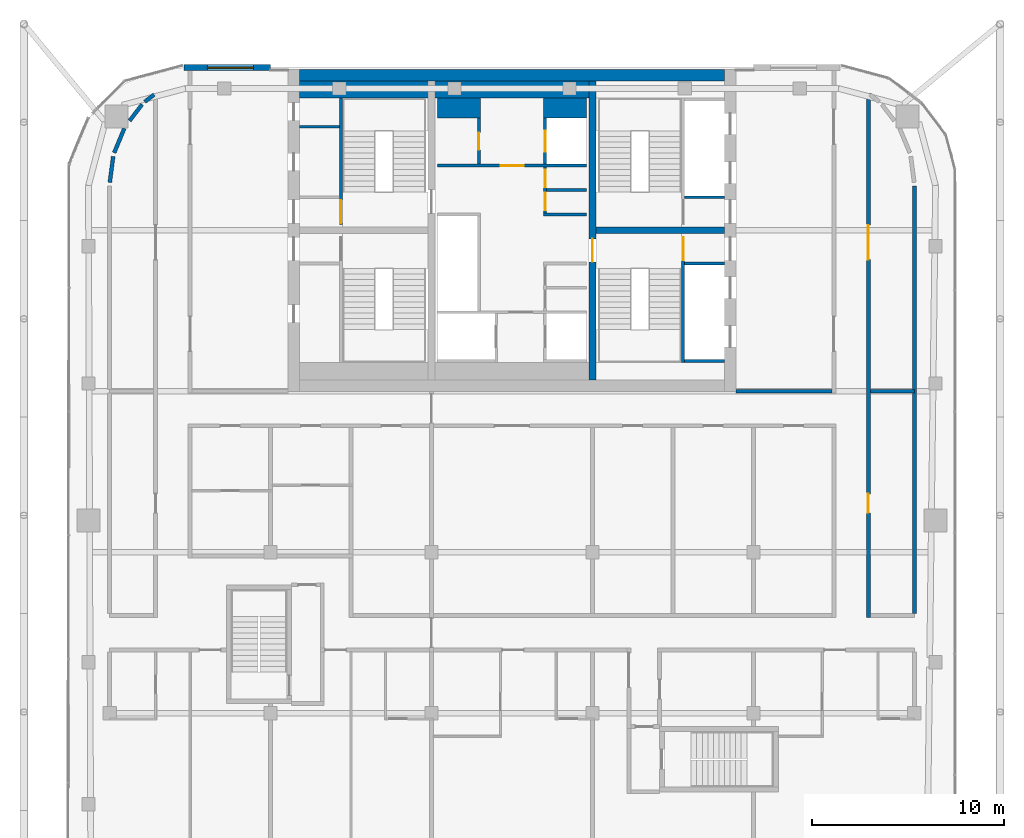
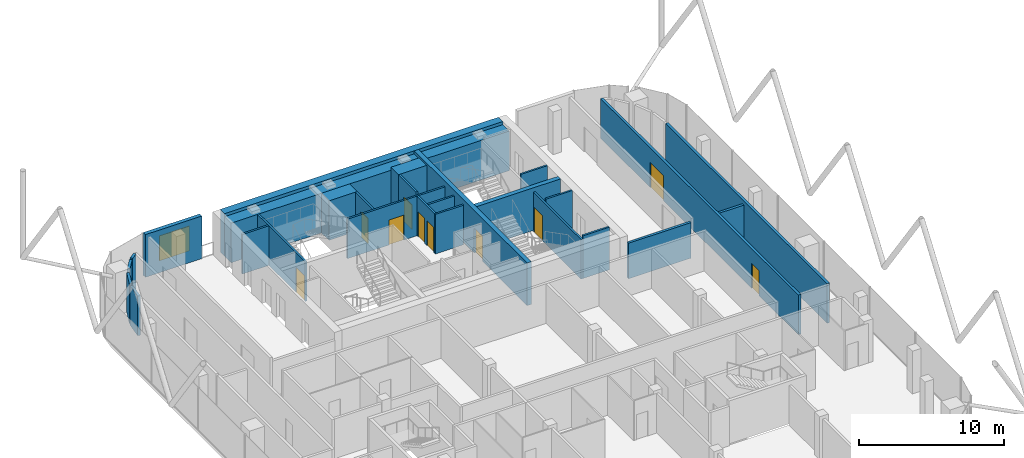
# One storey, part 24 of 27: 27 walls, 10 doors, 1 window, 11 openings.
"""IFC4 building model written with IfcOpenShell, lengths in metres."""

from ifc_helpers import new_model, si_unit, direction, frame, frame_2d, origin, place, context, subcontext, project, spatial, rectangle, extrude, material, layer, layer_set, type_object, element, fill, save


model = new_model("IFC4")

# Units and contexts
model_context = context("Model", 3, precision=1e-05, world=origin(), true_north=direction((0.0, 1.0)))
body_context = subcontext(model_context, "Body", "Model", "MODEL_VIEW")
ifc_project = project(units=[si_unit("LENGTHUNIT", "METRE"), si_unit("AREAUNIT", "SQUARE_METRE"), si_unit("VOLUMEUNIT", "CUBIC_METRE"), si_unit("PLANEANGLEUNIT", "RADIAN"), si_unit("MASSUNIT", "GRAM", prefix="KILO")], contexts=[model_context])

# Site, building, storey
site_placement = place(None, origin())
site = spatial("IfcSite", under=ifc_project, at=site_placement, CompositionType="ELEMENT")
building_placement = place(site_placement, origin())
building = spatial("IfcBuilding", under=site, at=building_placement, Name="Marenta Gate Hotel Tower", CompositionType="ELEMENT")
storey_placement = place(building_placement, frame((0.0, 0.0, 270.5)))
storey = spatial("IfcBuildingStorey", under=building, at=storey_placement, Name="L62", CompositionType="ELEMENT", Elevation=270.5)

# Wall, opening, window
ifc_material_1 = material(Name="Concrete C40 board-marked", Category="concrete")
ifc_layer_1 = layer(ifc_material_1, 0.300048828125)
ifc_layer_set_1 = layer_set([ifc_layer_1], Name="Concrete C40 board-marked")
wall_type_1 = type_object("IfcWallType", Name="Board-marked concrete wall 300 mm", PredefinedType="NOTDEFINED", material=ifc_layer_set_1)
wall_1_placement = place(storey_placement, frame((-12.60009765625, 16.889892578125, 0.0), z_axis=(0.0, 0.0, 1.0), x_axis=(-1.0, 0.0, 0.0)))
wall_1 = element("IfcWall", 1, at=wall_1_placement, inside=storey, type_object=wall_type_1, Name="L62-CLD-N01", PredefinedType="NOTDEFINED", context=body_context, shape_type="SweptSolid", body=[
    extrude(rectangle(XDim=4.505859375, YDim=0.300048828125, at=frame_2d((2.2529296875, 0.0))), origin(), (0.0, 0.0, 1.0), 3.60009765625),
])
opening_1_placement = place(wall_1_placement, frame((0.89990234375, 0.0, 0.89990234375)))
opening_1 = element("IfcOpeningElement", 2, at=opening_1_placement, cuts=wall_1, Name="Opening W1", PredefinedType="OPENING", context=body_context, shape_type="SweptSolid", body=[
    extrude(rectangle(XDim=2.39990234375, YDim=2.10009765625, at=frame_2d((1.199951171875, 1.050048828125))), frame((0.0, 0.14990234375, 0.0), z_axis=(0.0, -1.0, 0.0), x_axis=(1.0, 0.0, 0.0)), (0.0, 0.0, 1.0), 0.300048828125),
])
ifc_material_2 = material(Name="Tinted insulated glass in bronze anodised frame", Category="glass")
window_type = type_object("IfcWindowType", Name="Window W1 2400x2100 bronze frame", PartitioningType="SINGLE_PANEL", PredefinedType="WINDOW", material=ifc_material_2)
window_placement = place(opening_1_placement, origin())
window = element("IfcWindow", 3, at=window_placement, inside=storey, type_object=window_type, Name="Window W1", OverallHeight=2.10009765625, OverallWidth=2.39990234375, PartitioningType="SINGLE_PANEL", PredefinedType="WINDOW", context=body_context, shape_type="SweptSolid", body=[
    extrude(rectangle(XDim=2.39990234375, YDim=2.10009765625, at=frame_2d((1.199951171875, 1.050048828125))), frame((0.0, 0.030029296875, 0.0), z_axis=(0.0, -1.0, 0.0), x_axis=(1.0, 0.0, 0.0)), (0.0, 0.0, 1.0), 0.06005859375),
])
fill(opening_1, window)

# Walls
ifc_material_3 = material(Name="Concrete blockwork", Category="masonry")
ifc_layer_2 = layer(ifc_material_3, 0.199951171875)
ifc_layer_set_2 = layer_set([ifc_layer_2], Name="Concrete blockwork")
wall_type_2 = type_object("IfcWallType", Name="Core boundary wall 200 REI 180", PredefinedType="PARTITIONING", material=ifc_layer_set_2)
wall_2_placement = place(storey_placement, frame((11.699951171875, 0.0, 0.0), z_axis=(0.0, 0.0, 1.0), x_axis=(1.0, 0.0, 0.0)))
element("IfcWall", 4, at=wall_2_placement, inside=storey, type_object=wall_type_2, Name="L62-CP-EW-ES", PredefinedType="PARTITIONING", context=body_context, shape_type="SweptSolid", body=[
    extrude(rectangle(XDim=5.0, YDim=0.199951171875, at=frame_2d((2.5, 0.0))), origin(), (0.0, 0.0, 1.0), 3.0),
])
ifc_material_4 = material(Name="Concrete C40", Category="concrete")
ifc_layer_3 = layer(ifc_material_4, 0.89990234375)
ifc_layer_set_3 = layer_set([ifc_layer_3], Name="Concrete C40")
wall_type_3 = type_object("IfcWallType", Name="Core lining wall 900 REI 180", PredefinedType="PARTITIONING", material=ifc_layer_set_3)
wall_3_placement = place(storey_placement, frame((-11.10009765625, 15.75, 0.0), z_axis=(0.0, 0.0, 1.0), x_axis=(1.0, 0.0, 0.0)))
element("IfcWall", 5, at=wall_3_placement, inside=storey, type_object=wall_type_3, Name="L62-CP-LN-N", PredefinedType="PARTITIONING", context=body_context, shape_type="SweptSolid", body=[
    extrude(rectangle(XDim=22.2001953125, YDim=0.89990234375, at=frame_2d((11.10009765625, 0.0))), origin(), (0.0, 0.0, 1.0), 3.340087890625),
])

# Wall, opening, door
ifc_material_5 = material(Name="Concrete blockwork", Category="masonry")
ifc_layer_4 = layer(ifc_material_5, 0.14990234375)
ifc_layer_set_4 = layer_set([ifc_layer_4], Name="Concrete blockwork")
wall_type_4 = type_object("IfcWallType", Name="Core lobby partition 150 REI 180", PredefinedType="PARTITIONING", material=ifc_layer_set_4)
wall_4_placement = place(storey_placement, frame((-3.89990234375, 11.77490234375, 0.0), z_axis=(0.0, 0.0, 1.0), x_axis=(1.0, 0.0, 0.0)))
wall_4 = element("IfcWall", 6, at=wall_4_placement, inside=storey, type_object=wall_type_4, Name="L62-CP-CW-N", PredefinedType="PARTITIONING", context=body_context, shape_type="SweptSolid", body=[
    extrude(rectangle(XDim=7.7998046875, YDim=0.14990234375, at=frame_2d((3.89990234375, 0.0))), origin(), (0.0, 0.0, 1.0), 3.340087890625),
])
opening_2_placement = place(wall_4_placement, frame((3.300048828125, 0.0, 0.0)))
opening_2 = element("IfcOpeningElement", 7, at=opening_2_placement, cuts=wall_4, Name="Opening FD-FFN", PredefinedType="OPENING", context=body_context, shape_type="SweptSolid", body=[
    extrude(rectangle(XDim=1.199951171875, YDim=2.10009765625, at=frame_2d((0.60009765625, 1.050048828125))), frame((0.0, 0.074951171875, 0.0), z_axis=(0.0, -1.0, 0.0), x_axis=(1.0, 0.0, 0.0)), (0.0, 0.0, 1.0), 0.14990234375),
])
ifc_material_6 = material(Name="Steel", Category="steel")
door_type_1 = type_object("IfcDoorType", Name="Core lobby door 1200x2100 FD60", OperationType="SINGLE_SWING_LEFT", PredefinedType="DOOR", material=ifc_material_6)
door_1_placement = place(opening_2_placement, origin())
door_1 = element("IfcDoor", 8, at=door_1_placement, inside=storey, type_object=door_type_1, Name="FD-FFN", OperationType="SINGLE_SWING_LEFT", OverallHeight=2.10009765625, OverallWidth=1.199951171875, PredefinedType="DOOR", context=body_context, shape_type="SweptSolid", body=[
    extrude(rectangle(XDim=1.199951171875, YDim=2.10009765625, at=frame_2d((0.60009765625, 1.050048828125))), frame((0.0, 0.02490234375, 0.0), z_axis=(0.0, -1.0, 0.0), x_axis=(1.0, 0.0, 0.0)), (0.0, 0.0, 1.0), 0.050048828125),
])
fill(opening_2, door_1)

# Walls
ifc_material_7 = material(Name="Concrete blockwork", Category="masonry")
ifc_layer_5 = layer(ifc_material_7, 1.050048828125)
ifc_layer_set_5 = layer_set([ifc_layer_5], Name="Concrete blockwork")
wall_type_5 = type_object("IfcWallType", Name="Core room partition 1050 REI 180", PredefinedType="PARTITIONING", material=ifc_layer_set_5)
wall_5_placement = place(storey_placement, frame((-3.89990234375, 14.77490234375, 0.0), z_axis=(0.0, 0.0, 1.0), x_axis=(1.0, 0.0, 0.0)))
element("IfcWall", 9, at=wall_5_placement, inside=storey, type_object=wall_type_5, Name="L62-CP-CW-W-riser-N", PredefinedType="PARTITIONING", context=body_context, shape_type="SweptSolid", body=[
    extrude(rectangle(XDim=2.25, YDim=1.050048828125, at=frame_2d((1.125, 0.0))), origin(), (0.0, 0.0, 1.0), 3.340087890625),
])
ifc_material_8 = material(Name="Concrete blockwork", Category="masonry")
ifc_layer_6 = layer(ifc_material_8, 0.14990234375)
ifc_layer_set_6 = layer_set([ifc_layer_6], Name="Concrete blockwork")
wall_type_6 = type_object("IfcWallType", Name="Core room partition 150 REI 180", PredefinedType="PARTITIONING", material=ifc_layer_set_6)
wall_6_placement = place(storey_placement, frame((-11.10009765625, 13.800048828125, 0.0), z_axis=(0.0, 0.0, 1.0), x_axis=(1.0, 0.0, 0.0)))
element("IfcWall", 10, at=wall_6_placement, inside=storey, type_object=wall_type_6, Name="L62-CP-RW-WN-1", PredefinedType="PARTITIONING", context=body_context, shape_type="SweptSolid", body=[
    extrude(rectangle(XDim=2.10009765625, YDim=0.14990234375, at=frame_2d((1.050048828125, 0.0))), origin(), (0.0, 0.0, 1.0), 3.340087890625),
])

# Wall, opening, door
wall_7_placement = place(storey_placement, frame((-1.72509765625, 11.85009765625, 0.0), z_axis=(0.0, 0.0, 1.0), x_axis=(0.0, 1.0, 0.0)))
wall_7 = element("IfcWall", 11, at=wall_7_placement, inside=storey, type_object=wall_type_6, Name="L62-CP-CW-W-riser-front", PredefinedType="PARTITIONING", context=body_context, shape_type="SweptSolid", body=[
    extrude(rectangle(XDim=2.39990234375, YDim=0.14990234375, at=frame_2d((1.199951171875, 0.0))), origin(), (0.0, 0.0, 1.0), 3.340087890625),
])
opening_3_placement = place(wall_7_placement, frame((0.75, 0.0, 0.0)))
opening_3 = element("IfcOpeningElement", 12, at=opening_3_placement, cuts=wall_7, Name="Opening RD-CRISER", PredefinedType="OPENING", context=body_context, shape_type="SweptSolid", body=[
    extrude(rectangle(XDim=0.89990234375, YDim=2.10009765625, at=frame_2d((0.449951171875, 1.050048828125))), frame((0.0, 0.074951171875, 0.0), z_axis=(0.0, -1.0, 0.0), x_axis=(1.0, 0.0, 0.0)), (0.0, 0.0, 1.0), 0.14990234375),
])
ifc_material_9 = material(Name="Steel", Category="steel")
door_type_2 = type_object("IfcDoorType", Name="Core riser door 900x2100 FD60", OperationType="SINGLE_SWING_LEFT", PredefinedType="DOOR", material=ifc_material_9)
door_2_placement = place(opening_3_placement, origin())
door_2 = element("IfcDoor", 13, at=door_2_placement, inside=storey, type_object=door_type_2, Name="RD-CRISER", OperationType="SINGLE_SWING_LEFT", OverallHeight=2.10009765625, OverallWidth=0.89990234375, PredefinedType="DOOR", context=body_context, shape_type="SweptSolid", body=[
    extrude(rectangle(XDim=0.89990234375, YDim=2.10009765625, at=frame_2d((0.449951171875, 1.050048828125))), frame((0.0, 0.02490234375, 0.0), z_axis=(0.0, -1.0, 0.0), x_axis=(1.0, 0.0, 0.0)), (0.0, 0.0, 1.0), 0.050048828125),
])
fill(opening_3, door_2)

# Wall
wall_8_placement = place(storey_placement, frame((1.64990234375, 9.22509765625, 0.0), z_axis=(0.0, 0.0, 1.0), x_axis=(1.0, 0.0, 0.0)))
element("IfcWall", 14, at=wall_8_placement, inside=storey, type_object=wall_type_6, Name="L62-CP-CE-sep2", PredefinedType="PARTITIONING", context=body_context, shape_type="SweptSolid", body=[
    extrude(rectangle(XDim=2.25, YDim=0.14990234375, at=frame_2d((1.125, 0.0))), origin(), (0.0, 0.0, 1.0), 3.340087890625),
])

# Wall, openings, doors
wall_9_placement = place(storey_placement, frame((1.72509765625, 9.300048828125, 0.0), z_axis=(0.0, 0.0, 1.0), x_axis=(0.0, 1.0, 0.0)))
wall_9 = element("IfcWall", 15, at=wall_9_placement, inside=storey, type_object=wall_type_6, Name="L62-CP-CE-front-2", PredefinedType="PARTITIONING", context=body_context, shape_type="SweptSolid", body=[
    extrude(rectangle(XDim=2.39990234375, YDim=0.14990234375, at=frame_2d((1.199951171875, 0.0))), origin(), (0.0, 0.0, 1.0), 3.340087890625),
])
opening_4_placement = place(wall_9_placement, frame((0.14990234375, 0.0, 0.0)))
opening_4 = element("IfcOpeningElement", 16, at=opening_4_placement, cuts=wall_9, Name="Opening RD-CE-2a", PredefinedType="OPENING", context=body_context, shape_type="SweptSolid", body=[
    extrude(rectangle(XDim=0.89990234375, YDim=2.10009765625, at=frame_2d((0.449951171875, 1.050048828125))), frame((0.0, 0.074951171875, 0.0), z_axis=(0.0, -1.0, 0.0), x_axis=(1.0, 0.0, 0.0)), (0.0, 0.0, 1.0), 0.14990234375),
])
opening_5_placement = place(wall_9_placement, frame((1.35009765625, 0.0, 0.0)))
opening_5 = element("IfcOpeningElement", 17, at=opening_5_placement, cuts=wall_9, Name="Opening RD-CE-2b-B", PredefinedType="OPENING", context=body_context, shape_type="SweptSolid", body=[
    extrude(rectangle(XDim=0.89990234375, YDim=2.10009765625, at=frame_2d((0.449951171875, 1.050048828125))), frame((0.0, 0.074951171875, 0.0), z_axis=(0.0, -1.0, 0.0), x_axis=(1.0, 0.0, 0.0)), (0.0, 0.0, 1.0), 0.14990234375),
])
ifc_material_10 = material(Name="Steel", Category="steel")
door_type_3 = type_object("IfcDoorType", Name="Core service room door 900x2100 FD30S", OperationType="SINGLE_SWING_LEFT", PredefinedType="DOOR", material=ifc_material_10)
door_3_placement = place(opening_4_placement, origin())
door_3 = element("IfcDoor", 18, at=door_3_placement, inside=storey, type_object=door_type_3, Name="RD-CE-2a", OperationType="SINGLE_SWING_LEFT", OverallHeight=2.10009765625, OverallWidth=0.89990234375, PredefinedType="DOOR", context=body_context, shape_type="SweptSolid", body=[
    extrude(rectangle(XDim=0.89990234375, YDim=2.10009765625, at=frame_2d((0.449951171875, 1.050048828125))), frame((0.0, 0.02490234375, 0.0), z_axis=(0.0, -1.0, 0.0), x_axis=(1.0, 0.0, 0.0)), (0.0, 0.0, 1.0), 0.050048828125),
])
fill(opening_4, door_3)
door_4_placement = place(opening_5_placement, origin())
door_4 = element("IfcDoor", 19, at=door_4_placement, inside=storey, type_object=door_type_3, Name="RD-CE-2b-B", OperationType="SINGLE_SWING_LEFT", OverallHeight=2.10009765625, OverallWidth=0.89990234375, PredefinedType="DOOR", context=body_context, shape_type="SweptSolid", body=[
    extrude(rectangle(XDim=0.89990234375, YDim=2.10009765625, at=frame_2d((0.449951171875, 1.050048828125))), frame((0.0, 0.02490234375, 0.0), z_axis=(0.0, -1.0, 0.0), x_axis=(1.0, 0.0, 0.0)), (0.0, 0.0, 1.0), 0.050048828125),
])
fill(opening_5, door_4)

# Walls
wall_10_placement = place(storey_placement, frame((1.800048828125, 10.5, 0.0), z_axis=(0.0, 0.0, 1.0), x_axis=(1.0, 0.0, 0.0)))
element("IfcWall", 20, at=wall_10_placement, inside=storey, type_object=wall_type_6, Name="L62-CP-CE-RW-2", PredefinedType="PARTITIONING", context=body_context, shape_type="SweptSolid", body=[
    extrude(rectangle(XDim=2.099853515625, YDim=0.14990234375, at=frame_2d((1.0498046875, 0.0))), origin(), (0.0, 0.0, 1.0), 3.340087890625),
])
ifc_material_11 = material(Name="Concrete C40", Category="concrete")
ifc_layer_7 = layer(ifc_material_11, 1.050048828125)
ifc_layer_set_7 = layer_set([ifc_layer_7], Name="Concrete C40")
wall_type_7 = type_object("IfcWallType", Name="Core shaft wall 1050 REI 180", PredefinedType="SHEAR", material=ifc_layer_set_7)
wall_11_placement = place(storey_placement, frame((1.64990234375, 14.77490234375, 0.0), z_axis=(0.0, 0.0, 1.0), x_axis=(1.0, 0.0, 0.0)))
element("IfcWall", 21, at=wall_11_placement, inside=storey, type_object=wall_type_7, Name="L62-SHF-CE-N-top", PredefinedType="SHEAR", context=body_context, shape_type="SweptSolid", body=[
    extrude(rectangle(XDim=2.25, YDim=1.050048828125, at=frame_2d((1.125, 0.0))), origin(), (0.0, 0.0, 1.0), 3.60009765625),
])
ifc_material_12 = material(Name="Concrete C40", Category="concrete")
ifc_layer_8 = layer(ifc_material_12, 0.14990234375)
ifc_layer_set_8 = layer_set([ifc_layer_8], Name="Concrete C40")
wall_type_8 = type_object("IfcWallType", Name="Core shaft wall 150 REI 180", PredefinedType="SHEAR", material=ifc_layer_set_8)
for number, where, z_axis, x_axis, name in (
    (22, (9.0, 6.675048828125, 0.0), (0.0, 0.0, 1.0), (1.0, 0.0, 0.0), "L62-SHF-SW-ES-2"),
    (23, (9.0, 1.574951171875, 0.0), (0.0, 0.0, 1.0), (1.0, 0.0, 0.0), "L62-SHF-SW-ES-5"),
    (24, (9.0, 10.125, 0.0), (0.0, 0.0, 1.0), (1.0, 0.0, 0.0), "L62-SHF-SW-EN-2"),
):
    element("IfcWall", number, at=place(storey_placement, frame(where, z_axis=z_axis, x_axis=x_axis)), inside=storey, type_object=wall_type_8, Name=name, PredefinedType="SHEAR", context=body_context, shape_type="SweptSolid", body=[
        extrude(rectangle(XDim=2.10009765625, YDim=0.14990234375, at=frame_2d((1.050048828125, 0.0))), origin(), (0.0, 0.0, 1.0), 3.60009765625),
    ])

# Wall, opening, door
wall_12_placement = place(storey_placement, frame((1.72509765625, 11.85009765625, 0.0), z_axis=(0.0, 0.0, 1.0), x_axis=(0.0, 1.0, 0.0)))
wall_12 = element("IfcWall", 25, at=wall_12_placement, inside=storey, type_object=wall_type_8, Name="L62-SHF-CE-N-front2", PredefinedType="SHEAR", context=body_context, shape_type="SweptSolid", body=[
    extrude(rectangle(XDim=2.39990234375, YDim=0.14990234375, at=frame_2d((1.199951171875, 0.0))), origin(), (0.0, 0.0, 1.0), 3.60009765625),
])
opening_6_placement = place(wall_12_placement, frame((0.64990234375, 0.0, 0.0)))
opening_6 = element("IfcOpeningElement", 26, at=opening_6_placement, cuts=wall_12, Name="Opening LD-FF2", PredefinedType="OPENING", context=body_context, shape_type="SweptSolid", body=[
    extrude(rectangle(XDim=1.10009765625, YDim=2.10009765625, at=frame_2d((0.550048828125, 1.050048828125))), frame((0.0, 0.074951171875, 0.0), z_axis=(0.0, -1.0, 0.0), x_axis=(1.0, 0.0, 0.0)), (0.0, 0.0, 1.0), 0.14990234375),
])
ifc_material_13 = material(Name="Steel", Category="steel")
door_type_4 = type_object("IfcDoorType", Name="Core lift landing door 1100x2100 E 60", OperationType="SLIDING_TO_LEFT", PredefinedType="DOOR", material=ifc_material_13)
door_5_placement = place(opening_6_placement, origin())
door_5 = element("IfcDoor", 27, at=door_5_placement, inside=storey, type_object=door_type_4, Name="LD-FF2", OperationType="SLIDING_TO_LEFT", OverallHeight=2.10009765625, OverallWidth=1.10009765625, PredefinedType="DOOR", context=body_context, shape_type="SweptSolid", body=[
    extrude(rectangle(XDim=1.10009765625, YDim=2.10009765625, at=frame_2d((0.550048828125, 1.050048828125))), frame((0.0, 0.02490234375, 0.0), z_axis=(0.0, -1.0, 0.0), x_axis=(1.0, 0.0, 0.0)), (0.0, 0.0, 1.0), 0.050048828125),
])
fill(opening_6, door_5)

ifc_material_14 = material(Name="Concrete C40", Category="concrete")
ifc_layer_9 = layer(ifc_material_14, 0.14990234375)
ifc_layer_set_9 = layer_set([ifc_layer_9], Name="Concrete C40")
wall_type_9 = type_object("IfcWallType", Name="Core stair enclosure wall 150 REI 180", PredefinedType="SHEAR", material=ifc_layer_set_9)
wall_13_placement = place(storey_placement, frame((-8.925048828125, 8.699951171875, 0.0), z_axis=(0.0, 0.0, 1.0), x_axis=(0.0, 1.0, 0.0)))
wall_13 = element("IfcWall", 28, at=wall_13_placement, inside=storey, type_object=wall_type_9, Name="L62-SHF-SW-WN-3", PredefinedType="SHEAR", context=body_context, shape_type="SweptSolid", body=[
    extrude(rectangle(XDim=6.60009765625, YDim=0.14990234375, at=frame_2d((3.300048828125, 0.0))), origin(), (0.0, 0.0, 1.0), 3.340087890625),
])
opening_7_placement = place(wall_13_placement, frame((0.074951171875, 0.0, 0.0)))
opening_7 = element("IfcOpeningElement", 29, at=opening_7_placement, cuts=wall_13, Name="Opening SD-WN", PredefinedType="OPENING", context=body_context, shape_type="SweptSolid", body=[
    extrude(rectangle(XDim=1.199951171875, YDim=2.10009765625, at=frame_2d((0.60009765625, 1.050048828125))), frame((0.0, 0.074951171875, 0.0), z_axis=(0.0, -1.0, 0.0), x_axis=(1.0, 0.0, 0.0)), (0.0, 0.0, 1.0), 0.14990234375),
])
ifc_material_15 = material(Name="Steel", Category="steel")
door_type_5 = type_object("IfcDoorType", Name="Core stair door 1200x2100 FD60", OperationType="SINGLE_SWING_LEFT", PredefinedType="DOOR", material=ifc_material_15)
door_6_placement = place(opening_7_placement, origin())
door_6 = element("IfcDoor", 30, at=door_6_placement, inside=storey, type_object=door_type_5, Name="SD-WN", OperationType="SINGLE_SWING_LEFT", OverallHeight=2.10009765625, OverallWidth=1.199951171875, PredefinedType="DOOR", context=body_context, shape_type="SweptSolid", body=[
    extrude(rectangle(XDim=1.199951171875, YDim=2.10009765625, at=frame_2d((0.60009765625, 1.050048828125))), frame((0.0, 0.02490234375, 0.0), z_axis=(0.0, -1.0, 0.0), x_axis=(1.0, 0.0, 0.0)), (0.0, 0.0, 1.0), 0.050048828125),
])
fill(opening_7, door_6)

wall_14_placement = place(storey_placement, frame((8.925048828125, 1.5, 0.0), z_axis=(0.0, 0.0, 1.0), x_axis=(0.0, 1.0, 0.0)))
wall_14 = element("IfcWall", 31, at=wall_14_placement, inside=storey, type_object=wall_type_9, Name="L62-SHF-SW-ES-3", PredefinedType="SHEAR", context=body_context, shape_type="SweptSolid", body=[
    extrude(rectangle(XDim=6.60009765625, YDim=0.14990234375, at=frame_2d((3.300048828125, 0.0))), origin(), (0.0, 0.0, 1.0), 3.340087890625),
])
opening_8_placement = place(wall_14_placement, frame((5.324951171875, 0.0, 0.0)))
opening_8 = element("IfcOpeningElement", 32, at=opening_8_placement, cuts=wall_14, Name="Opening SD-ES", PredefinedType="OPENING", context=body_context, shape_type="SweptSolid", body=[
    extrude(rectangle(XDim=1.199951171875, YDim=2.10009765625, at=frame_2d((0.60009765625, 1.050048828125))), frame((0.0, 0.074951171875, 0.0), z_axis=(0.0, -1.0, 0.0), x_axis=(1.0, 0.0, 0.0)), (0.0, 0.0, 1.0), 0.14990234375),
])
door_7_placement = place(opening_8_placement, origin())
door_7 = element("IfcDoor", 33, at=door_7_placement, inside=storey, type_object=door_type_5, Name="SD-ES", OperationType="SINGLE_SWING_LEFT", OverallHeight=2.10009765625, OverallWidth=1.199951171875, PredefinedType="DOOR", context=body_context, shape_type="SweptSolid", body=[
    extrude(rectangle(XDim=1.199951171875, YDim=2.10009765625, at=frame_2d((0.60009765625, 1.050048828125))), frame((0.0, 0.02490234375, 0.0), z_axis=(0.0, -1.0, 0.0), x_axis=(1.0, 0.0, 0.0)), (0.0, 0.0, 1.0), 0.050048828125),
])
fill(opening_8, door_7)

# Wall
ifc_material_16 = material(Name="Concrete C50", Category="concrete")
ifc_layer_10 = layer(ifc_material_16, 0.60009765625)
ifc_layer_set_10 = layer_set([ifc_layer_10], Name="Concrete C50")
wall_type_10 = type_object("IfcWallType", Name="Core wall 600 C50", PredefinedType="SHEAR", material=ifc_layer_set_10)
wall_15_placement = place(storey_placement, frame((-11.10009765625, 16.5, 0.0), z_axis=(0.0, 0.0, 1.0), x_axis=(1.0, 0.0, 0.0)))
element("IfcWall", 34, at=wall_15_placement, inside=storey, type_object=wall_type_10, Name="L62-CORE-N", PredefinedType="SHEAR", context=body_context, shape_type="SweptSolid", body=[
    extrude(rectangle(XDim=22.2001953125, YDim=0.60009765625, at=frame_2d((11.10009765625, 0.0))), origin(), (0.0, 0.0, 1.0), 3.60009765625),
])

# Wall, opening, door
ifc_material_17 = material(Name="Concrete C50", Category="concrete")
ifc_layer_11 = layer(ifc_material_17, 0.35009765625)
ifc_layer_set_11 = layer_set([ifc_layer_11], Name="Concrete C50")
wall_type_11 = type_object("IfcWallType", Name="Core web 350 C50", PredefinedType="SHEAR", material=ifc_layer_set_11)
wall_16_placement = place(storey_placement, frame((4.199951171875, 0.60009765625, 0.0), z_axis=(0.0, 0.0, 1.0), x_axis=(0.0, 1.0, 0.0)))
wall_16 = element("IfcWall", 35, at=wall_16_placement, inside=storey, type_object=wall_type_11, Name="L62-CORE-W2", PredefinedType="SHEAR", context=body_context, shape_type="SweptSolid", body=[
    extrude(rectangle(XDim=15.599853515625, YDim=0.35009765625, at=frame_2d((7.7998046875, 0.0))), origin(), (0.0, 0.0, 1.0), 3.60009765625),
])
opening_9_placement = place(wall_16_placement, frame((6.14990234375, 0.0, 0.0)))
opening_9 = element("IfcOpeningElement", 36, at=opening_9_placement, cuts=wall_16, Name="Opening WD-E", PredefinedType="OPENING", context=body_context, shape_type="SweptSolid", body=[
    extrude(rectangle(XDim=1.199951171875, YDim=2.10009765625, at=frame_2d((0.60009765625, 1.050048828125))), frame((0.0, 0.175048828125, 0.0), z_axis=(0.0, -1.0, 0.0), x_axis=(1.0, 0.0, 0.0)), (0.0, 0.0, 1.0), 0.35009765625),
])
door_8_placement = place(opening_9_placement, origin())
door_8 = element("IfcDoor", 37, at=door_8_placement, inside=storey, type_object=door_type_5, Name="WD-E", OperationType="SINGLE_SWING_LEFT", OverallHeight=2.10009765625, OverallWidth=1.199951171875, PredefinedType="DOOR", context=body_context, shape_type="SweptSolid", body=[
    extrude(rectangle(XDim=1.199951171875, YDim=2.10009765625, at=frame_2d((0.60009765625, 1.050048828125))), frame((0.0, 0.02490234375, 0.0), z_axis=(0.0, -1.0, 0.0), x_axis=(1.0, 0.0, 0.0)), (0.0, 0.0, 1.0), 0.050048828125),
])
fill(opening_9, door_8)

# Wall
wall_17_placement = place(storey_placement, frame((4.375, 8.39990234375, 0.0), z_axis=(0.0, 0.0, 1.0), x_axis=(1.0, 0.0, 0.0)))
element("IfcWall", 38, at=wall_17_placement, inside=storey, type_object=wall_type_11, Name="L62-CORE-W4", PredefinedType="SHEAR", context=body_context, shape_type="SweptSolid", body=[
    extrude(rectangle(XDim=6.72509765625, YDim=0.35009765625, at=frame_2d((3.362548828125, 0.0))), origin(), (0.0, 0.0, 1.0), 3.60009765625),
])

# Wall, openings, doors
ifc_material_18 = material(Name="Gypsum board on steel stud", Category="steel")
ifc_layer_12 = layer(ifc_material_18, 0.199951171875)
ifc_layer_set_12 = layer_set([ifc_layer_12], Name="Gypsum board on steel stud")
wall_type_12 = type_object("IfcWallType", Name="Room corridor wall 200 EI 60", PredefinedType="PARTITIONING", material=ifc_layer_set_12)
wall_18_placement = place(storey_placement, frame((18.60009765625, -11.800048828125, 0.0), z_axis=(0.0, 0.0, 1.0), x_axis=(0.0, 1.0, 0.0)))
wall_18 = element("IfcWall", 39, at=wall_18_placement, inside=storey, type_object=wall_type_12, Name="L62-PTN-W005", PredefinedType="PARTITIONING", context=body_context, shape_type="SweptSolid", body=[
    extrude(rectangle(XDim=27.3359375, YDim=0.199951171875, at=frame_2d((13.66796875, 0.0))), origin(), (0.0, 0.0, 1.0), 3.340087890625),
])
opening_10_placement = place(wall_18_placement, frame((18.66796875, 0.0, 0.0)))
opening_10 = element("IfcOpeningElement", 40, at=opening_10_placement, cuts=wall_18, Name="Opening G23-10", PredefinedType="OPENING", context=body_context, shape_type="SweptSolid", body=[
    extrude(rectangle(XDim=1.800048828125, YDim=2.10009765625, at=frame_2d((0.89990234375, 1.050048828125))), frame((0.0, 0.10009765625, 0.0), z_axis=(0.0, -1.0, 0.0), x_axis=(1.0, 0.0, 0.0)), (0.0, 0.0, 1.0), 0.199951171875),
])
opening_11_placement = place(wall_18_placement, frame((5.449951171875, 0.0, 0.0)))
opening_11 = element("IfcOpeningElement", 41, at=opening_11_placement, cuts=wall_18, Name="Opening G23-28", PredefinedType="OPENING", context=body_context, shape_type="SweptSolid", body=[
    extrude(rectangle(XDim=1.0, YDim=2.10009765625, at=frame_2d((0.5, 1.050048828125))), frame((0.0, 0.10009765625, 0.0), z_axis=(0.0, -1.0, 0.0), x_axis=(1.0, 0.0, 0.0)), (0.0, 0.0, 1.0), 0.199951171875),
])
ifc_material_19 = material(Name="Timber door leaf", Category="wood")
door_type_6 = type_object("IfcDoorType", Name="Room amenity door 1000x2100 EI 30", OperationType="NOTDEFINED", PredefinedType="DOOR", material=ifc_material_19)
door_9_placement = place(opening_11_placement, origin())
door_9 = element("IfcDoor", 42, at=door_9_placement, inside=storey, type_object=door_type_6, Name="L62-PD-D028", OperationType="SINGLE_SWING_LEFT", OverallHeight=2.10009765625, OverallWidth=1.0, PredefinedType="DOOR", context=body_context, shape_type="SweptSolid", body=[
    extrude(rectangle(XDim=1.0, YDim=2.10009765625, at=frame_2d((0.5, 1.050048828125))), frame((0.0, 0.02490234375, 0.0), z_axis=(0.0, -1.0, 0.0), x_axis=(1.0, 0.0, 0.0)), (0.0, 0.0, 1.0), 0.050048828125),
])
fill(opening_11, door_9)
ifc_material_20 = material(Name="Timber door leaf", Category="wood")
door_type_7 = type_object("IfcDoorType", Name="Room amenity door 1800x2100 EI 30", OperationType="DOUBLE_DOOR_SINGLE_SWING", PredefinedType="DOOR", material=ifc_material_20)
door_10_placement = place(opening_10_placement, origin())
door_10 = element("IfcDoor", 43, at=door_10_placement, inside=storey, type_object=door_type_7, Name="L62-PD-D010", OperationType="DOUBLE_DOOR_SINGLE_SWING", OverallHeight=2.10009765625, OverallWidth=1.800048828125, PredefinedType="DOOR", context=body_context, shape_type="SweptSolid", body=[
    extrude(rectangle(XDim=1.800048828125, YDim=2.10009765625, at=frame_2d((0.89990234375, 1.050048828125))), frame((0.0, 0.02490234375, 0.0), z_axis=(0.0, -1.0, 0.0), x_axis=(1.0, 0.0, 0.0)), (0.0, 0.0, 1.0), 0.050048828125),
])
fill(opening_10, door_10)

# Walls
wall_19_placement = place(storey_placement, frame((-19.166015625, 15.10302734375, 0.0), z_axis=(0.0, 0.0, 1.0), x_axis=(0.794663000987, 0.607050833837, 0.0)))
element("IfcWall", 44, at=wall_19_placement, inside=storey, type_object=wall_type_12, Name="L62-PTN-W059", PredefinedType="PARTITIONING", context=body_context, shape_type="SweptSolid", body=[
    extrude(rectangle(XDim=0.61279296875, YDim=0.199951171875, at=frame_2d((0.306396484375, 0.0))), origin(), (0.0, 0.0, 1.0), 3.340087890625),
])
ifc_material_21 = material(Name="Gypsum board on steel stud", Category="steel")
ifc_layer_13 = layer(ifc_material_21, 0.199951171875)
ifc_layer_set_13 = layer_set([ifc_layer_13], Name="Gypsum board on steel stud")
wall_type_13 = type_object("IfcWallType", Name="Room party wall 200 EI 60", PredefinedType="PARTITIONING", material=ifc_layer_set_13)
wall_20_placement = place(storey_placement, frame((21.0, -11.60009765625, 0.0), z_axis=(0.0, 0.0, 1.0), x_axis=(0.0, 1.0, 0.0)))
element("IfcWall", 45, at=wall_20_placement, inside=storey, type_object=wall_type_13, Name="L62-PTN-W002", PredefinedType="PARTITIONING", context=body_context, shape_type="SweptSolid", body=[
    extrude(rectangle(XDim=22.302001953125, YDim=0.199951171875, at=frame_2d((11.15087890625, 0.0))), origin(), (0.0, 0.0, 1.0), 3.340087890625),
])
wall_21_placement = place(storey_placement, frame((18.699951171875, 0.0, 0.0), z_axis=(0.0, 0.0, 1.0), x_axis=(1.0, 0.0, 0.0)))
element("IfcWall", 46, at=wall_21_placement, inside=storey, type_object=wall_type_13, Name="L62-PTN-W038", PredefinedType="PARTITIONING", context=body_context, shape_type="SweptSolid", body=[
    extrude(rectangle(XDim=2.300048828125, YDim=0.199951171875, at=frame_2d((1.14990234375, 0.0))), origin(), (0.0, 0.0, 1.0), 3.0),
])
wall_22_placement = place(storey_placement, frame((-20.987060546875, 10.89697265625, 0.0), z_axis=(0.0, 0.0, 1.0), x_axis=(0.129841713905, 0.991534734303, 0.0)))
element("IfcWall", 47, at=wall_22_placement, inside=storey, type_object=wall_type_13, Name="L62-PTN-W058", PredefinedType="PARTITIONING", context=body_context, shape_type="SweptSolid", body=[
    extrude(rectangle(XDim=1.370849609375, YDim=0.199951171875, at=frame_2d((0.685546875, 0.0))), origin(), (0.0, 0.0, 1.0), 3.340087890625),
])
wall_23_placement = place(storey_placement, frame((-20.759033203125, 12.443115234375, 0.0), z_axis=(0.0, 0.0, 1.0), x_axis=(0.383540942064, 0.923523873953, 0.0)))
element("IfcWall", 48, at=wall_23_placement, inside=storey, type_object=wall_type_13, Name="L62-PTN-W062", PredefinedType="PARTITIONING", context=body_context, shape_type="SweptSolid", body=[
    extrude(rectangle(XDim=1.371826171875, YDim=0.199951171875, at=frame_2d((0.68603515625, 0.0))), origin(), (0.0, 0.0, 1.0), 3.340087890625),
])
wall_24_placement = place(storey_placement, frame((-19.9560546875, 14.112060546875, 0.0), z_axis=(0.0, 0.0, 1.0), x_axis=(0.607458536541, 0.794351387223, 0.0)))
element("IfcWall", 49, at=wall_24_placement, inside=storey, type_object=wall_type_13, Name="L62-PTN-W063", PredefinedType="PARTITIONING", context=body_context, shape_type="SweptSolid", body=[
    extrude(rectangle(XDim=1.0751953125, YDim=0.199951171875, at=frame_2d((0.53759765625, 0.0))), origin(), (0.0, 0.0, 1.0), 3.340087890625),
])

save(model, "model.ifc")
